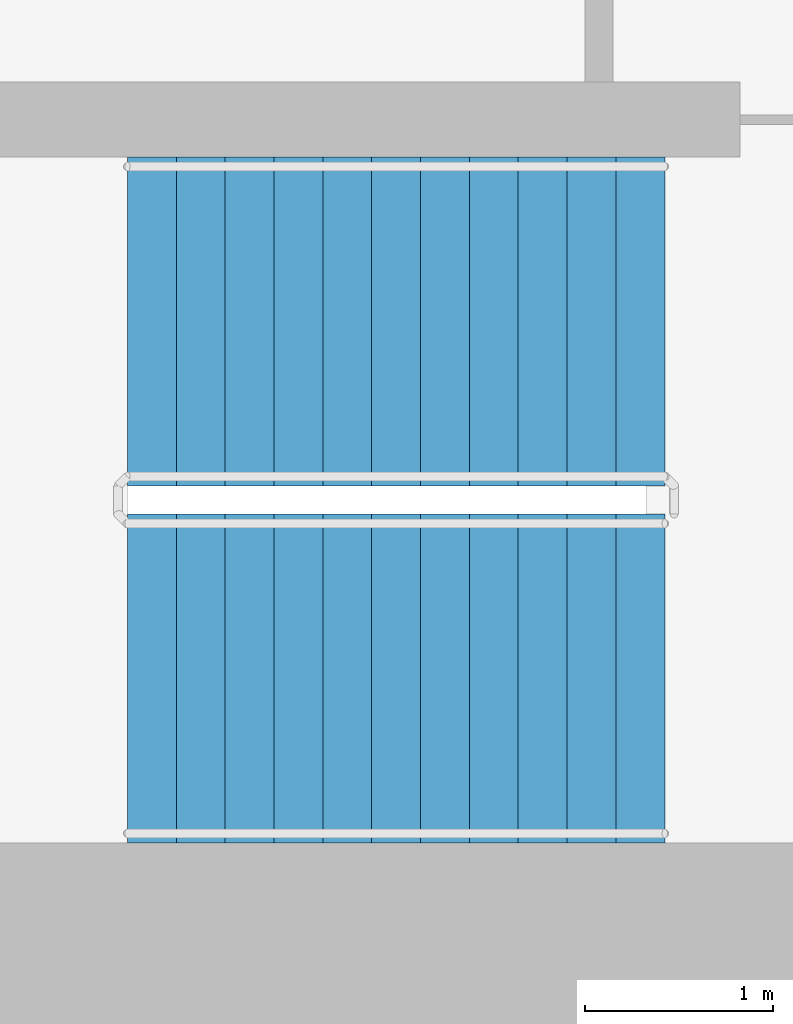
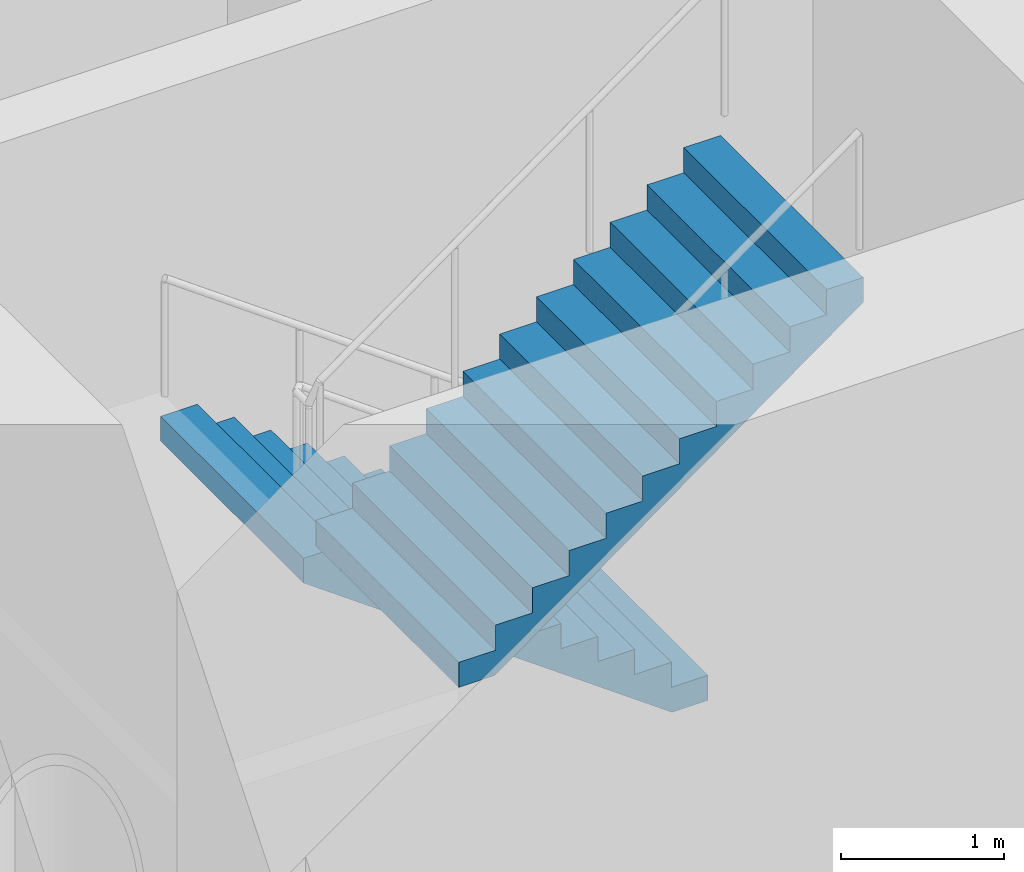
# One storey, part 30 of 49: 2 stair flights, 1 element without a shape of its own.
"""IFC4 building model written with IfcOpenShell, lengths in metres."""

from ifc_helpers import new_model, si_unit, direction, frame, origin, place, context, subcontext, project, spatial, faceted_brep, material, type_object, element, aggregate, save


model = new_model("IFC4")

# Units and contexts
model_context = context("Model", 3, precision=1e-05, world=origin(), true_north=direction((0.0, 1.0)))
body_context = subcontext(model_context, "Body", "Model", "MODEL_VIEW")
ifc_project = project(units=[si_unit("LENGTHUNIT", "METRE"), si_unit("AREAUNIT", "SQUARE_METRE"), si_unit("VOLUMEUNIT", "CUBIC_METRE"), si_unit("PLANEANGLEUNIT", "RADIAN"), si_unit("MASSUNIT", "GRAM", prefix="KILO")], contexts=[model_context])

# Site, building, storey
site_placement = place(None, origin())
site = spatial("IfcSite", under=ifc_project, at=site_placement, CompositionType="ELEMENT")
building_placement = place(site_placement, origin())
building = spatial("IfcBuilding", under=site, at=building_placement, Name="Ipe Terrace Towers", CompositionType="ELEMENT")
storey_placement = place(building_placement, frame((0.0, 0.0, 11.0)))
storey = spatial("IfcBuildingStorey", under=building, at=storey_placement, Name="L02", CompositionType="ELEMENT", Elevation=11.0)

# Stair, stair flights
ifc_material_1 = material(Name="Concrete C30/37", Category="concrete")
stair_type = type_object("IfcStairType", Name="Protected exit stair", PredefinedType="HALF_TURN_STAIR", material=ifc_material_1)
stair_placement = place(storey_placement, origin())
stair = element("IfcStair", 1, at=stair_placement, inside=storey, type_object=stair_type, Name="L02 Exit stair T1-C2", PredefinedType="HALF_TURN_STAIR")
ifc_material_2 = material(Name="Concrete C30/37", Category="concrete")
stair_flight_type = type_object("IfcStairFlightType", Name="Exit stair flight 1750", PredefinedType="STRAIGHT", material=ifc_material_2)
stair_flight_1_placement = place(storey_placement, frame((-45.699951171875, -2.77490234375, 0.0), z_axis=(0.0, 0.0, 1.0), x_axis=(-1.0, 0.0, 0.0)))
stair_flight_1 = element("IfcStairFlight", 2, at=stair_flight_1_placement, type_object=stair_flight_type, Name="T1-ST2 flight 1", NumberOfRisers=12, NumberOfTreads=11, PredefinedType="STRAIGHT", RiserHeight=0.1875, TreadLength=0.26, context=body_context, shape_type="Brep", body=[
    faceted_brep([(0.25634765625, -0.875, 0.0), (2.860107421875, -0.875, 1.877685546875), (2.860107421875, -0.875, 2.0625), (2.60009765625, -0.875, 2.0625), (2.60009765625, -0.875, 1.875), (2.340087890625, -0.875, 1.875), (2.340087890625, -0.875, 1.6875), (2.080078125, -0.875, 1.6875), (2.080078125, -0.875, 1.5), (1.820068359375, -0.875, 1.5), (1.820068359375, -0.875, 1.3125), (1.56005859375, -0.875, 1.3125), (1.56005859375, -0.875, 1.125), (1.300048828125, -0.875, 1.125), (1.300048828125, -0.875, 0.9375), (1.0400390625, -0.875, 0.9375), (1.0400390625, -0.875, 0.75), (0.780029296875, -0.875, 0.75), (0.780029296875, -0.875, 0.5625), (0.52001953125, -0.875, 0.5625), (0.52001953125, -0.875, 0.375), (0.260009765625, -0.875, 0.375), (0.260009765625, -0.875, 0.1875), (0.0, -0.875, 0.1875), (0.0, -0.875, 0.0), (0.0, 0.875, 0.0), (0.0, 0.875, 0.1875), (0.260009765625, 0.875, 0.1875), (0.260009765625, 0.875, 0.375), (0.52001953125, 0.875, 0.375), (0.52001953125, 0.875, 0.5625), (0.780029296875, 0.875, 0.5625), (0.780029296875, 0.875, 0.75), (1.0400390625, 0.875, 0.75), (1.0400390625, 0.875, 0.9375), (1.300048828125, 0.875, 0.9375), (1.300048828125, 0.875, 1.125), (1.56005859375, 0.875, 1.125), (1.56005859375, 0.875, 1.3125), (1.820068359375, 0.875, 1.3125), (1.820068359375, 0.875, 1.5), (2.080078125, 0.875, 1.5), (2.080078125, 0.875, 1.6875), (2.340087890625, 0.875, 1.6875), (2.340087890625, 0.875, 1.875), (2.60009765625, 0.875, 1.875), (2.60009765625, 0.875, 2.0625), (2.860107421875, 0.875, 2.0625), (2.860107421875, 0.875, 1.877685546875), (0.25634765625, 0.875, 0.0), (0.0, -0.300048828125, 0.1875), (0.0, -0.1201171875, 0.1875), (0.0, -0.06005859375, 0.1875), (0.0, -0.030029296875, 0.1875), (0.0, -0.010009765625, 0.1875), (0.0, 0.0, 0.1875), (0.0, 0.010009765625, 0.1875), (0.0, 0.030029296875, 0.1875), (0.0, 0.06005859375, 0.1875), (0.0, 0.1201171875, 0.1875), (0.0, 0.300048828125, 0.1875), (0.0, 0.300048828125, 0.0), (0.0, 0.1201171875, 0.0), (0.0, 0.06005859375, 0.0), (0.0, 0.030029296875, 0.0), (0.0, 0.010009765625, 0.0), (0.0, 0.0, 0.0), (0.0, -0.010009765625, 0.0), (0.0, -0.030029296875, 0.0), (0.0, -0.06005859375, 0.0), (0.0, -0.1201171875, 0.0), (0.0, -0.300048828125, 0.0), (0.260009765625, -0.300048828125, 0.1875), (0.260009765625, -0.1201171875, 0.1875), (0.260009765625, -0.06005859375, 0.1875), (0.260009765625, -0.030029296875, 0.1875), (0.260009765625, -0.010009765625, 0.1875), (0.260009765625, 0.0, 0.1875), (0.260009765625, 0.010009765625, 0.1875), (0.260009765625, 0.030029296875, 0.1875), (0.260009765625, 0.06005859375, 0.1875), (0.260009765625, 0.1201171875, 0.1875), (0.260009765625, 0.300048828125, 0.1875), (0.260009765625, -0.300048828125, 0.375), (0.260009765625, -0.1201171875, 0.375), (0.260009765625, -0.06005859375, 0.375), (0.260009765625, -0.030029296875, 0.375), (0.260009765625, -0.010009765625, 0.375), (0.260009765625, 0.0, 0.375), (0.260009765625, 0.010009765625, 0.375), (0.260009765625, 0.030029296875, 0.375), (0.260009765625, 0.06005859375, 0.375), (0.260009765625, 0.1201171875, 0.375), (0.260009765625, 0.300048828125, 0.375), (0.52001953125, -0.300048828125, 0.375), (0.52001953125, -0.1201171875, 0.375), (0.52001953125, -0.06005859375, 0.375), (0.52001953125, -0.030029296875, 0.375), (0.52001953125, -0.010009765625, 0.375), (0.52001953125, 0.0, 0.375), (0.52001953125, 0.010009765625, 0.375), (0.52001953125, 0.030029296875, 0.375), (0.52001953125, 0.06005859375, 0.375), (0.52001953125, 0.1201171875, 0.375), (0.52001953125, 0.300048828125, 0.375), (0.52001953125, -0.300048828125, 0.5625), (0.52001953125, -0.1201171875, 0.5625), (0.52001953125, -0.06005859375, 0.5625), (0.52001953125, -0.030029296875, 0.5625), (0.52001953125, -0.010009765625, 0.5625), (0.52001953125, 0.0, 0.5625), (0.52001953125, 0.010009765625, 0.5625), (0.52001953125, 0.030029296875, 0.5625), (0.52001953125, 0.06005859375, 0.5625), (0.52001953125, 0.1201171875, 0.5625), (0.52001953125, 0.300048828125, 0.5625), (0.780029296875, -0.300048828125, 0.5625), (0.780029296875, -0.1201171875, 0.5625), (0.780029296875, -0.06005859375, 0.5625), (0.780029296875, -0.030029296875, 0.5625), (0.780029296875, -0.010009765625, 0.5625), (0.780029296875, 0.0, 0.5625), (0.780029296875, 0.010009765625, 0.5625), (0.780029296875, 0.030029296875, 0.5625), (0.780029296875, 0.06005859375, 0.5625), (0.780029296875, 0.1201171875, 0.5625), (0.780029296875, 0.300048828125, 0.5625), (0.780029296875, -0.300048828125, 0.75), (0.780029296875, -0.1201171875, 0.75), (0.780029296875, -0.06005859375, 0.75), (0.780029296875, -0.030029296875, 0.75), (0.780029296875, -0.010009765625, 0.75), (0.780029296875, 0.0, 0.75), (0.780029296875, 0.010009765625, 0.75), (0.780029296875, 0.030029296875, 0.75), (0.780029296875, 0.06005859375, 0.75), (0.780029296875, 0.1201171875, 0.75), (0.780029296875, 0.300048828125, 0.75), (1.0400390625, -0.300048828125, 0.75), (1.0400390625, -0.1201171875, 0.75), (1.0400390625, -0.06005859375, 0.75), (1.0400390625, -0.030029296875, 0.75), (1.0400390625, -0.010009765625, 0.75), (1.0400390625, 0.0, 0.75), (1.0400390625, 0.010009765625, 0.75), (1.0400390625, 0.030029296875, 0.75), (1.0400390625, 0.06005859375, 0.75), (1.0400390625, 0.1201171875, 0.75), (1.0400390625, 0.300048828125, 0.75), (1.0400390625, -0.300048828125, 0.9375), (1.0400390625, -0.1201171875, 0.9375), (1.0400390625, -0.06005859375, 0.9375), (1.0400390625, -0.030029296875, 0.9375), (1.0400390625, -0.010009765625, 0.9375), (1.0400390625, 0.0, 0.9375), (1.0400390625, 0.010009765625, 0.9375), (1.0400390625, 0.030029296875, 0.9375), (1.0400390625, 0.06005859375, 0.9375), (1.0400390625, 0.1201171875, 0.9375), (1.0400390625, 0.300048828125, 0.9375), (1.300048828125, -0.300048828125, 0.9375), (1.300048828125, -0.1201171875, 0.9375), (1.300048828125, -0.06005859375, 0.9375), (1.300048828125, -0.030029296875, 0.9375), (1.300048828125, -0.010009765625, 0.9375), (1.300048828125, 0.0, 0.9375), (1.300048828125, 0.010009765625, 0.9375), (1.300048828125, 0.030029296875, 0.9375), (1.300048828125, 0.06005859375, 0.9375), (1.300048828125, 0.1201171875, 0.9375), (1.300048828125, 0.300048828125, 0.9375), (1.300048828125, -0.300048828125, 1.125), (1.300048828125, -0.1201171875, 1.125), (1.300048828125, -0.06005859375, 1.125), (1.300048828125, -0.030029296875, 1.125), (1.300048828125, -0.010009765625, 1.125), (1.300048828125, 0.0, 1.125), (1.300048828125, 0.010009765625, 1.125), (1.300048828125, 0.030029296875, 1.125), (1.300048828125, 0.06005859375, 1.125), (1.300048828125, 0.1201171875, 1.125), (1.300048828125, 0.300048828125, 1.125), (1.56005859375, -0.300048828125, 1.125), (1.56005859375, -0.1201171875, 1.125), (1.56005859375, -0.06005859375, 1.125), (1.56005859375, -0.030029296875, 1.125), (1.56005859375, -0.010009765625, 1.125), (1.56005859375, 0.0, 1.125), (1.56005859375, 0.010009765625, 1.125), (1.56005859375, 0.030029296875, 1.125), (1.56005859375, 0.06005859375, 1.125), (1.56005859375, 0.1201171875, 1.125), (1.56005859375, 0.300048828125, 1.125), (1.56005859375, -0.300048828125, 1.3125), (1.56005859375, -0.1201171875, 1.3125), (1.56005859375, -0.06005859375, 1.3125), (1.56005859375, -0.030029296875, 1.3125), (1.56005859375, -0.010009765625, 1.3125), (1.56005859375, 0.0, 1.3125), (1.56005859375, 0.010009765625, 1.3125), (1.56005859375, 0.030029296875, 1.3125), (1.56005859375, 0.06005859375, 1.3125), (1.56005859375, 0.1201171875, 1.3125), (1.56005859375, 0.300048828125, 1.3125), (1.820068359375, -0.300048828125, 1.3125), (1.820068359375, -0.1201171875, 1.3125), (1.820068359375, -0.06005859375, 1.3125), (1.820068359375, -0.030029296875, 1.3125), (1.820068359375, -0.010009765625, 1.3125), (1.820068359375, 0.0, 1.3125), (1.820068359375, 0.010009765625, 1.3125), (1.820068359375, 0.030029296875, 1.3125), (1.820068359375, 0.06005859375, 1.3125), (1.820068359375, 0.1201171875, 1.3125), (1.820068359375, 0.300048828125, 1.3125), (1.820068359375, -0.300048828125, 1.5), (1.820068359375, -0.1201171875, 1.5), (1.820068359375, -0.06005859375, 1.5), (1.820068359375, -0.030029296875, 1.5), (1.820068359375, -0.010009765625, 1.5), (1.820068359375, 0.0, 1.5), (1.820068359375, 0.010009765625, 1.5), (1.820068359375, 0.030029296875, 1.5), (1.820068359375, 0.06005859375, 1.5), (1.820068359375, 0.1201171875, 1.5), (1.820068359375, 0.300048828125, 1.5), (2.080078125, -0.300048828125, 1.5), (2.080078125, -0.1201171875, 1.5), (2.080078125, -0.06005859375, 1.5), (2.080078125, -0.030029296875, 1.5), (2.080078125, -0.010009765625, 1.5), (2.080078125, 0.0, 1.5), (2.080078125, 0.010009765625, 1.5), (2.080078125, 0.030029296875, 1.5), (2.080078125, 0.06005859375, 1.5), (2.080078125, 0.1201171875, 1.5), (2.080078125, 0.300048828125, 1.5), (2.080078125, -0.300048828125, 1.6875), (2.080078125, -0.1201171875, 1.6875), (2.080078125, -0.06005859375, 1.6875), (2.080078125, -0.030029296875, 1.6875), (2.080078125, -0.010009765625, 1.6875), (2.080078125, 0.0, 1.6875), (2.080078125, 0.010009765625, 1.6875), (2.080078125, 0.030029296875, 1.6875), (2.080078125, 0.06005859375, 1.6875), (2.080078125, 0.1201171875, 1.6875), (2.080078125, 0.300048828125, 1.6875), (2.340087890625, -0.300048828125, 1.6875), (2.340087890625, -0.1201171875, 1.6875), (2.340087890625, -0.06005859375, 1.6875), (2.340087890625, -0.030029296875, 1.6875), (2.340087890625, -0.010009765625, 1.6875), (2.340087890625, 0.0, 1.6875), (2.340087890625, 0.010009765625, 1.6875), (2.340087890625, 0.030029296875, 1.6875), (2.340087890625, 0.06005859375, 1.6875), (2.340087890625, 0.1201171875, 1.6875), (2.340087890625, 0.300048828125, 1.6875), (2.340087890625, -0.300048828125, 1.875), (2.340087890625, -0.1201171875, 1.875), (2.340087890625, -0.06005859375, 1.875), (2.340087890625, -0.030029296875, 1.875), (2.340087890625, -0.010009765625, 1.875), (2.340087890625, 0.0, 1.875), (2.340087890625, 0.010009765625, 1.875), (2.340087890625, 0.030029296875, 1.875), (2.340087890625, 0.06005859375, 1.875), (2.340087890625, 0.1201171875, 1.875), (2.340087890625, 0.300048828125, 1.875), (2.60009765625, -0.300048828125, 1.875), (2.60009765625, -0.1201171875, 1.875), (2.60009765625, -0.06005859375, 1.875), (2.60009765625, -0.030029296875, 1.875), (2.60009765625, -0.010009765625, 1.875), (2.60009765625, 0.0, 1.875), (2.60009765625, 0.010009765625, 1.875), (2.60009765625, 0.030029296875, 1.875), (2.60009765625, 0.06005859375, 1.875), (2.60009765625, 0.1201171875, 1.875), (2.60009765625, 0.300048828125, 1.875), (2.60009765625, -0.300048828125, 2.0625), (2.60009765625, -0.1201171875, 2.0625), (2.60009765625, -0.06005859375, 2.0625), (2.60009765625, -0.030029296875, 2.0625), (2.60009765625, -0.010009765625, 2.0625), (2.60009765625, 0.0, 2.0625), (2.60009765625, 0.010009765625, 2.0625), (2.60009765625, 0.030029296875, 2.0625), (2.60009765625, 0.06005859375, 2.0625), (2.60009765625, 0.1201171875, 2.0625), (2.60009765625, 0.300048828125, 2.0625), (2.860107421875, -0.300048828125, 2.0625), (2.860107421875, -0.1201171875, 2.0625), (2.860107421875, -0.06005859375, 2.0625), (2.860107421875, -0.030029296875, 2.0625), (2.860107421875, -0.010009765625, 2.0625), (2.860107421875, 0.0, 2.0625), (2.860107421875, 0.010009765625, 2.0625), (2.860107421875, 0.030029296875, 2.0625), (2.860107421875, 0.06005859375, 2.0625), (2.860107421875, 0.1201171875, 2.0625), (2.860107421875, 0.300048828125, 2.0625), (2.860107421875, -0.300048828125, 1.877685546875), (2.860107421875, -0.1201171875, 1.877685546875), (2.860107421875, -0.06005859375, 1.877685546875), (2.860107421875, -0.030029296875, 1.877685546875), (2.860107421875, -0.010009765625, 1.877685546875), (2.860107421875, 0.0, 1.877685546875), (2.860107421875, 0.010009765625, 1.877685546875), (2.860107421875, 0.030029296875, 1.877685546875), (2.860107421875, 0.06005859375, 1.877685546875), (2.860107421875, 0.1201171875, 1.877685546875), (2.860107421875, 0.300048828125, 1.877685546875), (0.25634765625, -0.300048828125, 0.0), (0.25634765625, -0.1201171875, 0.0), (0.25634765625, -0.06005859375, 0.0), (0.25634765625, -0.030029296875, 0.0), (0.25634765625, -0.010009765625, 0.0), (0.25634765625, 0.0, 0.0), (0.25634765625, 0.010009765625, 0.0), (0.25634765625, 0.030029296875, 0.0), (0.25634765625, 0.06005859375, 0.0), (0.25634765625, 0.1201171875, 0.0), (0.25634765625, 0.300048828125, 0.0)], [[[0, 1, 2, 3, 4, 5, 6, 7, 8, 9, 10, 11, 12, 13, 14, 15, 16, 17, 18, 19, 20, 21, 22, 23, 24]], [[25, 26, 27, 28, 29, 30, 31, 32, 33, 34, 35, 36, 37, 38, 39, 40, 41, 42, 43, 44, 45, 46, 47, 48, 49]], [[23, 50, 51, 52, 53, 54, 55, 56, 57, 58, 59, 60, 26, 25, 61, 62, 63, 64, 65, 66, 67, 68, 69, 70, 71, 24]], [[22, 72, 73, 74, 75, 76, 77, 78, 79, 80, 81, 82, 27, 26, 60, 59, 58, 57, 56, 55, 54, 53, 52, 51, 50, 23]], [[21, 83, 84, 85, 86, 87, 88, 89, 90, 91, 92, 93, 28, 27, 82, 81, 80, 79, 78, 77, 76, 75, 74, 73, 72, 22]], [[20, 94, 95, 96, 97, 98, 99, 100, 101, 102, 103, 104, 29, 28, 93, 92, 91, 90, 89, 88, 87, 86, 85, 84, 83, 21]], [[19, 105, 106, 107, 108, 109, 110, 111, 112, 113, 114, 115, 30, 29, 104, 103, 102, 101, 100, 99, 98, 97, 96, 95, 94, 20]], [[18, 116, 117, 118, 119, 120, 121, 122, 123, 124, 125, 126, 31, 30, 115, 114, 113, 112, 111, 110, 109, 108, 107, 106, 105, 19]], [[17, 127, 128, 129, 130, 131, 132, 133, 134, 135, 136, 137, 32, 31, 126, 125, 124, 123, 122, 121, 120, 119, 118, 117, 116, 18]], [[16, 138, 139, 140, 141, 142, 143, 144, 145, 146, 147, 148, 33, 32, 137, 136, 135, 134, 133, 132, 131, 130, 129, 128, 127, 17]], [[15, 149, 150, 151, 152, 153, 154, 155, 156, 157, 158, 159, 34, 33, 148, 147, 146, 145, 144, 143, 142, 141, 140, 139, 138, 16]], [[14, 160, 161, 162, 163, 164, 165, 166, 167, 168, 169, 170, 35, 34, 159, 158, 157, 156, 155, 154, 153, 152, 151, 150, 149, 15]], [[13, 171, 172, 173, 174, 175, 176, 177, 178, 179, 180, 181, 36, 35, 170, 169, 168, 167, 166, 165, 164, 163, 162, 161, 160, 14]], [[12, 182, 183, 184, 185, 186, 187, 188, 189, 190, 191, 192, 37, 36, 181, 180, 179, 178, 177, 176, 175, 174, 173, 172, 171, 13]], [[11, 193, 194, 195, 196, 197, 198, 199, 200, 201, 202, 203, 38, 37, 192, 191, 190, 189, 188, 187, 186, 185, 184, 183, 182, 12]], [[10, 204, 205, 206, 207, 208, 209, 210, 211, 212, 213, 214, 39, 38, 203, 202, 201, 200, 199, 198, 197, 196, 195, 194, 193, 11]], [[9, 215, 216, 217, 218, 219, 220, 221, 222, 223, 224, 225, 40, 39, 214, 213, 212, 211, 210, 209, 208, 207, 206, 205, 204, 10]], [[8, 226, 227, 228, 229, 230, 231, 232, 233, 234, 235, 236, 41, 40, 225, 224, 223, 222, 221, 220, 219, 218, 217, 216, 215, 9]], [[7, 237, 238, 239, 240, 241, 242, 243, 244, 245, 246, 247, 42, 41, 236, 235, 234, 233, 232, 231, 230, 229, 228, 227, 226, 8]], [[6, 248, 249, 250, 251, 252, 253, 254, 255, 256, 257, 258, 43, 42, 247, 246, 245, 244, 243, 242, 241, 240, 239, 238, 237, 7]], [[5, 259, 260, 261, 262, 263, 264, 265, 266, 267, 268, 269, 44, 43, 258, 257, 256, 255, 254, 253, 252, 251, 250, 249, 248, 6]], [[4, 270, 271, 272, 273, 274, 275, 276, 277, 278, 279, 280, 45, 44, 269, 268, 267, 266, 265, 264, 263, 262, 261, 260, 259, 5]], [[3, 281, 282, 283, 284, 285, 286, 287, 288, 289, 290, 291, 46, 45, 280, 279, 278, 277, 276, 275, 274, 273, 272, 271, 270, 4]], [[2, 292, 293, 294, 295, 296, 297, 298, 299, 300, 301, 302, 47, 46, 291, 290, 289, 288, 287, 286, 285, 284, 283, 282, 281, 3]], [[1, 303, 304, 305, 306, 307, 308, 309, 310, 311, 312, 313, 48, 47, 302, 301, 300, 299, 298, 297, 296, 295, 294, 293, 292, 2]], [[0, 314, 315, 316, 317, 318, 319, 320, 321, 322, 323, 324, 49, 48, 313, 312, 311, 310, 309, 308, 307, 306, 305, 304, 303, 1]], [[24, 71, 70, 69, 68, 67, 66, 65, 64, 63, 62, 61, 25, 49, 324, 323, 322, 321, 320, 319, 318, 317, 316, 315, 314, 0]]]),
])
stair_flight_2_placement = place(storey_placement, frame((-48.56005859375, -4.675048828125, 2.25), z_axis=(0.0, 0.0, 1.0), x_axis=(1.0, 0.0, 0.0)))
stair_flight_2 = element("IfcStairFlight", 3, at=stair_flight_2_placement, type_object=stair_flight_type, Name="T1-ST2 flight 2", NumberOfRisers=12, NumberOfTreads=11, PredefinedType="STRAIGHT", RiserHeight=0.1875, TreadLength=0.26, context=body_context, shape_type="Brep", body=[
    faceted_brep([(0.25634765625, -0.875, 0.0), (2.860107421875, -0.875, 1.877685546875), (2.860107421875, -0.875, 2.0625), (2.60009765625, -0.875, 2.0625), (2.60009765625, -0.875, 1.875), (2.340087890625, -0.875, 1.875), (2.340087890625, -0.875, 1.6875), (2.080078125, -0.875, 1.6875), (2.080078125, -0.875, 1.5), (1.820068359375, -0.875, 1.5), (1.820068359375, -0.875, 1.3125), (1.56005859375, -0.875, 1.3125), (1.56005859375, -0.875, 1.125), (1.300048828125, -0.875, 1.125), (1.300048828125, -0.875, 0.9375), (1.0400390625, -0.875, 0.9375), (1.0400390625, -0.875, 0.75), (0.780029296875, -0.875, 0.75), (0.780029296875, -0.875, 0.5625), (0.52001953125, -0.875, 0.5625), (0.52001953125, -0.875, 0.375), (0.260009765625, -0.875, 0.375), (0.260009765625, -0.875, 0.1875), (0.0, -0.875, 0.1875), (0.0, -0.875, 0.0), (0.0, 0.875, 0.0), (0.0, 0.875, 0.1875), (0.260009765625, 0.875, 0.1875), (0.260009765625, 0.875, 0.375), (0.52001953125, 0.875, 0.375), (0.52001953125, 0.875, 0.5625), (0.780029296875, 0.875, 0.5625), (0.780029296875, 0.875, 0.75), (1.0400390625, 0.875, 0.75), (1.0400390625, 0.875, 0.9375), (1.300048828125, 0.875, 0.9375), (1.300048828125, 0.875, 1.125), (1.56005859375, 0.875, 1.125), (1.56005859375, 0.875, 1.3125), (1.820068359375, 0.875, 1.3125), (1.820068359375, 0.875, 1.5), (2.080078125, 0.875, 1.5), (2.080078125, 0.875, 1.6875), (2.340087890625, 0.875, 1.6875), (2.340087890625, 0.875, 1.875), (2.60009765625, 0.875, 1.875), (2.60009765625, 0.875, 2.0625), (2.860107421875, 0.875, 2.0625), (2.860107421875, 0.875, 1.877685546875), (0.25634765625, 0.875, 0.0), (0.0, -0.300048828125, 0.1875), (0.0, -0.1201171875, 0.1875), (0.0, -0.06005859375, 0.1875), (0.0, -0.030029296875, 0.1875), (0.0, -0.010009765625, 0.1875), (0.0, 0.0, 0.1875), (0.0, 0.010009765625, 0.1875), (0.0, 0.030029296875, 0.1875), (0.0, 0.06005859375, 0.1875), (0.0, 0.1201171875, 0.1875), (0.0, 0.300048828125, 0.1875), (0.0, 0.300048828125, 0.0), (0.0, 0.1201171875, 0.0), (0.0, 0.06005859375, 0.0), (0.0, 0.030029296875, 0.0), (0.0, 0.010009765625, 0.0), (0.0, 0.0, 0.0), (0.0, -0.010009765625, 0.0), (0.0, -0.030029296875, 0.0), (0.0, -0.06005859375, 0.0), (0.0, -0.1201171875, 0.0), (0.0, -0.300048828125, 0.0), (0.260009765625, -0.300048828125, 0.1875), (0.260009765625, -0.1201171875, 0.1875), (0.260009765625, -0.06005859375, 0.1875), (0.260009765625, -0.030029296875, 0.1875), (0.260009765625, -0.010009765625, 0.1875), (0.260009765625, 0.0, 0.1875), (0.260009765625, 0.010009765625, 0.1875), (0.260009765625, 0.030029296875, 0.1875), (0.260009765625, 0.06005859375, 0.1875), (0.260009765625, 0.1201171875, 0.1875), (0.260009765625, 0.300048828125, 0.1875), (0.260009765625, -0.300048828125, 0.375), (0.260009765625, -0.1201171875, 0.375), (0.260009765625, -0.06005859375, 0.375), (0.260009765625, -0.030029296875, 0.375), (0.260009765625, -0.010009765625, 0.375), (0.260009765625, 0.0, 0.375), (0.260009765625, 0.010009765625, 0.375), (0.260009765625, 0.030029296875, 0.375), (0.260009765625, 0.06005859375, 0.375), (0.260009765625, 0.1201171875, 0.375), (0.260009765625, 0.300048828125, 0.375), (0.52001953125, -0.300048828125, 0.375), (0.52001953125, -0.1201171875, 0.375), (0.52001953125, -0.06005859375, 0.375), (0.52001953125, -0.030029296875, 0.375), (0.52001953125, -0.010009765625, 0.375), (0.52001953125, 0.0, 0.375), (0.52001953125, 0.010009765625, 0.375), (0.52001953125, 0.030029296875, 0.375), (0.52001953125, 0.06005859375, 0.375), (0.52001953125, 0.1201171875, 0.375), (0.52001953125, 0.300048828125, 0.375), (0.52001953125, -0.300048828125, 0.5625), (0.52001953125, -0.1201171875, 0.5625), (0.52001953125, -0.06005859375, 0.5625), (0.52001953125, -0.030029296875, 0.5625), (0.52001953125, -0.010009765625, 0.5625), (0.52001953125, 0.0, 0.5625), (0.52001953125, 0.010009765625, 0.5625), (0.52001953125, 0.030029296875, 0.5625), (0.52001953125, 0.06005859375, 0.5625), (0.52001953125, 0.1201171875, 0.5625), (0.52001953125, 0.300048828125, 0.5625), (0.780029296875, -0.300048828125, 0.5625), (0.780029296875, -0.1201171875, 0.5625), (0.780029296875, -0.06005859375, 0.5625), (0.780029296875, -0.030029296875, 0.5625), (0.780029296875, -0.010009765625, 0.5625), (0.780029296875, 0.0, 0.5625), (0.780029296875, 0.010009765625, 0.5625), (0.780029296875, 0.030029296875, 0.5625), (0.780029296875, 0.06005859375, 0.5625), (0.780029296875, 0.1201171875, 0.5625), (0.780029296875, 0.300048828125, 0.5625), (0.780029296875, -0.300048828125, 0.75), (0.780029296875, -0.1201171875, 0.75), (0.780029296875, -0.06005859375, 0.75), (0.780029296875, -0.030029296875, 0.75), (0.780029296875, -0.010009765625, 0.75), (0.780029296875, 0.0, 0.75), (0.780029296875, 0.010009765625, 0.75), (0.780029296875, 0.030029296875, 0.75), (0.780029296875, 0.06005859375, 0.75), (0.780029296875, 0.1201171875, 0.75), (0.780029296875, 0.300048828125, 0.75), (1.0400390625, -0.300048828125, 0.75), (1.0400390625, -0.1201171875, 0.75), (1.0400390625, -0.06005859375, 0.75), (1.0400390625, -0.030029296875, 0.75), (1.0400390625, -0.010009765625, 0.75), (1.0400390625, 0.0, 0.75), (1.0400390625, 0.010009765625, 0.75), (1.0400390625, 0.030029296875, 0.75), (1.0400390625, 0.06005859375, 0.75), (1.0400390625, 0.1201171875, 0.75), (1.0400390625, 0.300048828125, 0.75), (1.0400390625, -0.300048828125, 0.9375), (1.0400390625, -0.1201171875, 0.9375), (1.0400390625, -0.06005859375, 0.9375), (1.0400390625, -0.030029296875, 0.9375), (1.0400390625, -0.010009765625, 0.9375), (1.0400390625, 0.0, 0.9375), (1.0400390625, 0.010009765625, 0.9375), (1.0400390625, 0.030029296875, 0.9375), (1.0400390625, 0.06005859375, 0.9375), (1.0400390625, 0.1201171875, 0.9375), (1.0400390625, 0.300048828125, 0.9375), (1.300048828125, -0.300048828125, 0.9375), (1.300048828125, -0.1201171875, 0.9375), (1.300048828125, -0.06005859375, 0.9375), (1.300048828125, -0.030029296875, 0.9375), (1.300048828125, -0.010009765625, 0.9375), (1.300048828125, 0.0, 0.9375), (1.300048828125, 0.010009765625, 0.9375), (1.300048828125, 0.030029296875, 0.9375), (1.300048828125, 0.06005859375, 0.9375), (1.300048828125, 0.1201171875, 0.9375), (1.300048828125, 0.300048828125, 0.9375), (1.300048828125, -0.300048828125, 1.125), (1.300048828125, -0.1201171875, 1.125), (1.300048828125, -0.06005859375, 1.125), (1.300048828125, -0.030029296875, 1.125), (1.300048828125, -0.010009765625, 1.125), (1.300048828125, 0.0, 1.125), (1.300048828125, 0.010009765625, 1.125), (1.300048828125, 0.030029296875, 1.125), (1.300048828125, 0.06005859375, 1.125), (1.300048828125, 0.1201171875, 1.125), (1.300048828125, 0.300048828125, 1.125), (1.56005859375, -0.300048828125, 1.125), (1.56005859375, -0.1201171875, 1.125), (1.56005859375, -0.06005859375, 1.125), (1.56005859375, -0.030029296875, 1.125), (1.56005859375, -0.010009765625, 1.125), (1.56005859375, 0.0, 1.125), (1.56005859375, 0.010009765625, 1.125), (1.56005859375, 0.030029296875, 1.125), (1.56005859375, 0.06005859375, 1.125), (1.56005859375, 0.1201171875, 1.125), (1.56005859375, 0.300048828125, 1.125), (1.56005859375, -0.300048828125, 1.3125), (1.56005859375, -0.1201171875, 1.3125), (1.56005859375, -0.06005859375, 1.3125), (1.56005859375, -0.030029296875, 1.3125), (1.56005859375, -0.010009765625, 1.3125), (1.56005859375, 0.0, 1.3125), (1.56005859375, 0.010009765625, 1.3125), (1.56005859375, 0.030029296875, 1.3125), (1.56005859375, 0.06005859375, 1.3125), (1.56005859375, 0.1201171875, 1.3125), (1.56005859375, 0.300048828125, 1.3125), (1.820068359375, -0.300048828125, 1.3125), (1.820068359375, -0.1201171875, 1.3125), (1.820068359375, -0.06005859375, 1.3125), (1.820068359375, -0.030029296875, 1.3125), (1.820068359375, -0.010009765625, 1.3125), (1.820068359375, 0.0, 1.3125), (1.820068359375, 0.010009765625, 1.3125), (1.820068359375, 0.030029296875, 1.3125), (1.820068359375, 0.06005859375, 1.3125), (1.820068359375, 0.1201171875, 1.3125), (1.820068359375, 0.300048828125, 1.3125), (1.820068359375, -0.300048828125, 1.5), (1.820068359375, -0.1201171875, 1.5), (1.820068359375, -0.06005859375, 1.5), (1.820068359375, -0.030029296875, 1.5), (1.820068359375, -0.010009765625, 1.5), (1.820068359375, 0.0, 1.5), (1.820068359375, 0.010009765625, 1.5), (1.820068359375, 0.030029296875, 1.5), (1.820068359375, 0.06005859375, 1.5), (1.820068359375, 0.1201171875, 1.5), (1.820068359375, 0.300048828125, 1.5), (2.080078125, -0.300048828125, 1.5), (2.080078125, -0.1201171875, 1.5), (2.080078125, -0.06005859375, 1.5), (2.080078125, -0.030029296875, 1.5), (2.080078125, -0.010009765625, 1.5), (2.080078125, 0.0, 1.5), (2.080078125, 0.010009765625, 1.5), (2.080078125, 0.030029296875, 1.5), (2.080078125, 0.06005859375, 1.5), (2.080078125, 0.1201171875, 1.5), (2.080078125, 0.300048828125, 1.5), (2.080078125, -0.300048828125, 1.6875), (2.080078125, -0.1201171875, 1.6875), (2.080078125, -0.06005859375, 1.6875), (2.080078125, -0.030029296875, 1.6875), (2.080078125, -0.010009765625, 1.6875), (2.080078125, 0.0, 1.6875), (2.080078125, 0.010009765625, 1.6875), (2.080078125, 0.030029296875, 1.6875), (2.080078125, 0.06005859375, 1.6875), (2.080078125, 0.1201171875, 1.6875), (2.080078125, 0.300048828125, 1.6875), (2.340087890625, -0.300048828125, 1.6875), (2.340087890625, -0.1201171875, 1.6875), (2.340087890625, -0.06005859375, 1.6875), (2.340087890625, -0.030029296875, 1.6875), (2.340087890625, -0.010009765625, 1.6875), (2.340087890625, 0.0, 1.6875), (2.340087890625, 0.010009765625, 1.6875), (2.340087890625, 0.030029296875, 1.6875), (2.340087890625, 0.06005859375, 1.6875), (2.340087890625, 0.1201171875, 1.6875), (2.340087890625, 0.300048828125, 1.6875), (2.340087890625, -0.300048828125, 1.875), (2.340087890625, -0.1201171875, 1.875), (2.340087890625, -0.06005859375, 1.875), (2.340087890625, -0.030029296875, 1.875), (2.340087890625, -0.010009765625, 1.875), (2.340087890625, 0.0, 1.875), (2.340087890625, 0.010009765625, 1.875), (2.340087890625, 0.030029296875, 1.875), (2.340087890625, 0.06005859375, 1.875), (2.340087890625, 0.1201171875, 1.875), (2.340087890625, 0.300048828125, 1.875), (2.60009765625, -0.300048828125, 1.875), (2.60009765625, -0.1201171875, 1.875), (2.60009765625, -0.06005859375, 1.875), (2.60009765625, -0.030029296875, 1.875), (2.60009765625, -0.010009765625, 1.875), (2.60009765625, 0.0, 1.875), (2.60009765625, 0.010009765625, 1.875), (2.60009765625, 0.030029296875, 1.875), (2.60009765625, 0.06005859375, 1.875), (2.60009765625, 0.1201171875, 1.875), (2.60009765625, 0.300048828125, 1.875), (2.60009765625, -0.300048828125, 2.0625), (2.60009765625, -0.1201171875, 2.0625), (2.60009765625, -0.06005859375, 2.0625), (2.60009765625, -0.030029296875, 2.0625), (2.60009765625, -0.010009765625, 2.0625), (2.60009765625, 0.0, 2.0625), (2.60009765625, 0.010009765625, 2.0625), (2.60009765625, 0.030029296875, 2.0625), (2.60009765625, 0.06005859375, 2.0625), (2.60009765625, 0.1201171875, 2.0625), (2.60009765625, 0.300048828125, 2.0625), (2.860107421875, -0.300048828125, 2.0625), (2.860107421875, -0.1201171875, 2.0625), (2.860107421875, -0.06005859375, 2.0625), (2.860107421875, -0.030029296875, 2.0625), (2.860107421875, -0.010009765625, 2.0625), (2.860107421875, 0.0, 2.0625), (2.860107421875, 0.010009765625, 2.0625), (2.860107421875, 0.030029296875, 2.0625), (2.860107421875, 0.06005859375, 2.0625), (2.860107421875, 0.1201171875, 2.0625), (2.860107421875, 0.300048828125, 2.0625), (2.860107421875, -0.300048828125, 1.877685546875), (2.860107421875, -0.1201171875, 1.877685546875), (2.860107421875, -0.06005859375, 1.877685546875), (2.860107421875, -0.030029296875, 1.877685546875), (2.860107421875, -0.010009765625, 1.877685546875), (2.860107421875, 0.0, 1.877685546875), (2.860107421875, 0.010009765625, 1.877685546875), (2.860107421875, 0.030029296875, 1.877685546875), (2.860107421875, 0.06005859375, 1.877685546875), (2.860107421875, 0.1201171875, 1.877685546875), (2.860107421875, 0.300048828125, 1.877685546875), (0.25634765625, -0.300048828125, 0.0), (0.25634765625, -0.1201171875, 0.0), (0.25634765625, -0.06005859375, 0.0), (0.25634765625, -0.030029296875, 0.0), (0.25634765625, -0.010009765625, 0.0), (0.25634765625, 0.0, 0.0), (0.25634765625, 0.010009765625, 0.0), (0.25634765625, 0.030029296875, 0.0), (0.25634765625, 0.06005859375, 0.0), (0.25634765625, 0.1201171875, 0.0), (0.25634765625, 0.300048828125, 0.0)], [[[0, 1, 2, 3, 4, 5, 6, 7, 8, 9, 10, 11, 12, 13, 14, 15, 16, 17, 18, 19, 20, 21, 22, 23, 24]], [[25, 26, 27, 28, 29, 30, 31, 32, 33, 34, 35, 36, 37, 38, 39, 40, 41, 42, 43, 44, 45, 46, 47, 48, 49]], [[23, 50, 51, 52, 53, 54, 55, 56, 57, 58, 59, 60, 26, 25, 61, 62, 63, 64, 65, 66, 67, 68, 69, 70, 71, 24]], [[22, 72, 73, 74, 75, 76, 77, 78, 79, 80, 81, 82, 27, 26, 60, 59, 58, 57, 56, 55, 54, 53, 52, 51, 50, 23]], [[21, 83, 84, 85, 86, 87, 88, 89, 90, 91, 92, 93, 28, 27, 82, 81, 80, 79, 78, 77, 76, 75, 74, 73, 72, 22]], [[20, 94, 95, 96, 97, 98, 99, 100, 101, 102, 103, 104, 29, 28, 93, 92, 91, 90, 89, 88, 87, 86, 85, 84, 83, 21]], [[19, 105, 106, 107, 108, 109, 110, 111, 112, 113, 114, 115, 30, 29, 104, 103, 102, 101, 100, 99, 98, 97, 96, 95, 94, 20]], [[18, 116, 117, 118, 119, 120, 121, 122, 123, 124, 125, 126, 31, 30, 115, 114, 113, 112, 111, 110, 109, 108, 107, 106, 105, 19]], [[17, 127, 128, 129, 130, 131, 132, 133, 134, 135, 136, 137, 32, 31, 126, 125, 124, 123, 122, 121, 120, 119, 118, 117, 116, 18]], [[16, 138, 139, 140, 141, 142, 143, 144, 145, 146, 147, 148, 33, 32, 137, 136, 135, 134, 133, 132, 131, 130, 129, 128, 127, 17]], [[15, 149, 150, 151, 152, 153, 154, 155, 156, 157, 158, 159, 34, 33, 148, 147, 146, 145, 144, 143, 142, 141, 140, 139, 138, 16]], [[14, 160, 161, 162, 163, 164, 165, 166, 167, 168, 169, 170, 35, 34, 159, 158, 157, 156, 155, 154, 153, 152, 151, 150, 149, 15]], [[13, 171, 172, 173, 174, 175, 176, 177, 178, 179, 180, 181, 36, 35, 170, 169, 168, 167, 166, 165, 164, 163, 162, 161, 160, 14]], [[12, 182, 183, 184, 185, 186, 187, 188, 189, 190, 191, 192, 37, 36, 181, 180, 179, 178, 177, 176, 175, 174, 173, 172, 171, 13]], [[11, 193, 194, 195, 196, 197, 198, 199, 200, 201, 202, 203, 38, 37, 192, 191, 190, 189, 188, 187, 186, 185, 184, 183, 182, 12]], [[10, 204, 205, 206, 207, 208, 209, 210, 211, 212, 213, 214, 39, 38, 203, 202, 201, 200, 199, 198, 197, 196, 195, 194, 193, 11]], [[9, 215, 216, 217, 218, 219, 220, 221, 222, 223, 224, 225, 40, 39, 214, 213, 212, 211, 210, 209, 208, 207, 206, 205, 204, 10]], [[8, 226, 227, 228, 229, 230, 231, 232, 233, 234, 235, 236, 41, 40, 225, 224, 223, 222, 221, 220, 219, 218, 217, 216, 215, 9]], [[7, 237, 238, 239, 240, 241, 242, 243, 244, 245, 246, 247, 42, 41, 236, 235, 234, 233, 232, 231, 230, 229, 228, 227, 226, 8]], [[6, 248, 249, 250, 251, 252, 253, 254, 255, 256, 257, 258, 43, 42, 247, 246, 245, 244, 243, 242, 241, 240, 239, 238, 237, 7]], [[5, 259, 260, 261, 262, 263, 264, 265, 266, 267, 268, 269, 44, 43, 258, 257, 256, 255, 254, 253, 252, 251, 250, 249, 248, 6]], [[4, 270, 271, 272, 273, 274, 275, 276, 277, 278, 279, 280, 45, 44, 269, 268, 267, 266, 265, 264, 263, 262, 261, 260, 259, 5]], [[3, 281, 282, 283, 284, 285, 286, 287, 288, 289, 290, 291, 46, 45, 280, 279, 278, 277, 276, 275, 274, 273, 272, 271, 270, 4]], [[2, 292, 293, 294, 295, 296, 297, 298, 299, 300, 301, 302, 47, 46, 291, 290, 289, 288, 287, 286, 285, 284, 283, 282, 281, 3]], [[1, 303, 304, 305, 306, 307, 308, 309, 310, 311, 312, 313, 48, 47, 302, 301, 300, 299, 298, 297, 296, 295, 294, 293, 292, 2]], [[0, 314, 315, 316, 317, 318, 319, 320, 321, 322, 323, 324, 49, 48, 313, 312, 311, 310, 309, 308, 307, 306, 305, 304, 303, 1]], [[24, 71, 70, 69, 68, 67, 66, 65, 64, 63, 62, 61, 25, 49, 324, 323, 322, 321, 320, 319, 318, 317, 316, 315, 314, 0]]]),
])
aggregate(stair, [stair_flight_1, stair_flight_2])

save(model, "model.ifc")
